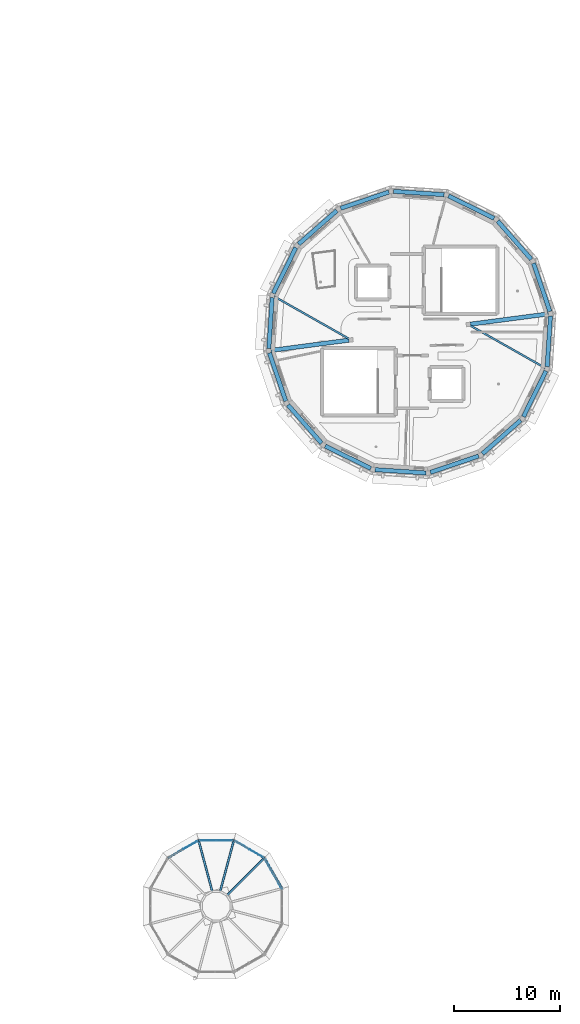
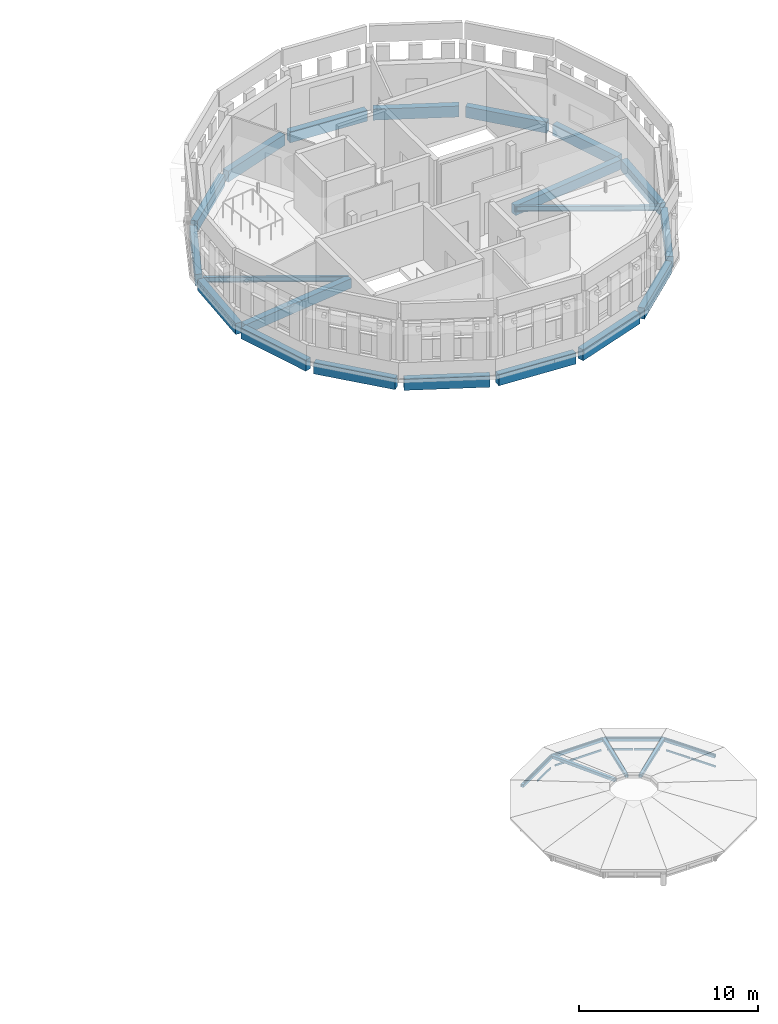
# One storey, part 3 of 18: 22 members, 20 beams, 4 elements without a shape of their own.
"""IFC4 building model written with IfcOpenShell, lengths in metres."""

from ifc_helpers import new_model, si_unit, direction, frame, origin, origin_2d, place, context, subcontext, project, spatial, rectangle, hollow_rectangle, i_section, extrude, material, material_profile, profile_set, type_object, element, aggregate, save


model = new_model("IFC4")

# Units and contexts
model_context = context("Model", 3, precision=1e-05, world=origin(), true_north=direction((0.0, 1.0)))
body_context = subcontext(model_context, "Body", "Model", "MODEL_VIEW")
ifc_project = project(units=[si_unit("LENGTHUNIT", "METRE"), si_unit("AREAUNIT", "SQUARE_METRE"), si_unit("VOLUMEUNIT", "CUBIC_METRE"), si_unit("PLANEANGLEUNIT", "RADIAN"), si_unit("MASSUNIT", "GRAM", prefix="KILO")], contexts=[model_context])

# Site, building, storey
site_placement = place(None, origin())
site = spatial("IfcSite", under=ifc_project, at=site_placement, CompositionType="ELEMENT")
building_placement = place(site_placement, origin())
building = spatial("IfcBuilding", under=site, at=building_placement, Name="Wrenclough Park School", CompositionType="ELEMENT")
storey_placement = place(building_placement, frame((0.0, 0.0, 20.800048828125)))
storey = spatial("IfcBuildingStorey", under=building, at=storey_placement, Name="L05", CompositionType="ELEMENT", Elevation=20.800048828125)

# Curtain wall, members
ifc_material_1 = material(Name="Thermally broken aluminium and low-e glass curtain wall", Category="aluminium")
curtain_wall_type = type_object("IfcCurtainWallType", Name="ENV-CW-16", PredefinedType="USERDEFINED", material=ifc_material_1)
curtain_wall_1_placement = place(storey_placement, origin())
curtain_wall_1 = element("IfcCurtainWall", 1, at=curtain_wall_1_placement, inside=storey, type_object=curtain_wall_type, Name="D1-SH cylindrical white-glazed stair-head curtain wall 190", ObjectType="CURTAIN WALL", PredefinedType="USERDEFINED")
ifc_material_2 = material(Name="Thermally broken anodised aluminium", Category="aluminium")
ifc_material_profile_1 = material_profile(ifc_material_2, rectangle(XDim=0.06005859375, YDim=0.1201171875, at=origin_2d()), Name="AL TRANSOM 60x120")
ifc_profile_set_1 = profile_set([ifc_material_profile_1], Name="Thermally broken anodised aluminium")
member_type_1 = type_object("IfcMemberType", Name="ENV-CWT-1", PredefinedType="USERDEFINED", material=ifc_profile_set_1)
member_1_placement = place(storey_placement, frame((162.435302734375, 40.8369140625, 0.030029296875), z_axis=(-0.49997040668, 0.866042488821, 0.0), x_axis=(-0.866042488821, -0.49997040668, 0.0)))
member_1 = element("IfcMember", 2, at=member_1_placement, type_object=member_type_1, Name="CW-16 transom 1.1", ObjectType="TRANSOM", PredefinedType="USERDEFINED", context=body_context, shape_type="SweptSolid", body=[
    extrude(rectangle(XDim=0.06005859375, YDim=0.1201171875, at=origin_2d()), origin(), (0.0, 0.0, 1.0), 1.5625),
])
member_2_placement = place(storey_placement, frame((162.435302734375, 40.8369140625, 0.7900390625), z_axis=(-0.49997040668, 0.866042488821, 0.0), x_axis=(-0.866042488821, -0.49997040668, 0.0)))
member_2 = element("IfcMember", 3, at=member_2_placement, type_object=member_type_1, Name="CW-16 transom 1.2", ObjectType="TRANSOM", PredefinedType="USERDEFINED", context=body_context, shape_type="SweptSolid", body=[
    extrude(rectangle(XDim=0.06005859375, YDim=0.1201171875, at=origin_2d()), origin(), (0.0, 0.0, 1.0), 1.5625),
])
member_3_placement = place(storey_placement, frame((161.6240234375, 42.241943359375, 0.030029296875), z_axis=(-0.49997040668, 0.866042488821, 0.0), x_axis=(-0.866042488821, -0.49997040668, 0.0)))
member_3 = element("IfcMember", 4, at=member_3_placement, type_object=member_type_1, Name="CW-16 transom 2.1", ObjectType="TRANSOM", PredefinedType="USERDEFINED", context=body_context, shape_type="SweptSolid", body=[
    extrude(rectangle(XDim=0.06005859375, YDim=0.1201171875, at=origin_2d()), origin(), (0.0, 0.0, 1.0), 1.5625),
])
member_4_placement = place(storey_placement, frame((161.6240234375, 42.241943359375, 0.7900390625), z_axis=(-0.49997040668, 0.866042488821, 0.0), x_axis=(-0.866042488821, -0.49997040668, 0.0)))
member_4 = element("IfcMember", 5, at=member_4_placement, type_object=member_type_1, Name="CW-16 transom 2.2", ObjectType="TRANSOM", PredefinedType="USERDEFINED", context=body_context, shape_type="SweptSolid", body=[
    extrude(rectangle(XDim=0.06005859375, YDim=0.1201171875, at=origin_2d()), origin(), (0.0, 0.0, 1.0), 1.5625),
])
aggregate(curtain_wall_1, [member_1, member_2, member_3, member_4])

curtain_wall_2_placement = place(storey_placement, origin())
curtain_wall_2 = element("IfcCurtainWall", 6, at=curtain_wall_2_placement, inside=storey, type_object=curtain_wall_type, Name="D1-SH cylindrical white-glazed stair-head curtain wall 191", ObjectType="CURTAIN WALL", PredefinedType="USERDEFINED")
member_5_placement = place(storey_placement, frame((160.59521484375, 43.8427734375, 0.030029296875), z_axis=(-0.866045896294, 0.499964504253, 0.0), x_axis=(-0.499964504253, -0.866045896294, 0.0)))
member_5 = element("IfcMember", 7, at=member_5_placement, type_object=member_type_1, Name="CW-16 transom 1.1", ObjectType="TRANSOM", PredefinedType="USERDEFINED", context=body_context, shape_type="SweptSolid", body=[
    extrude(rectangle(XDim=0.06005859375, YDim=0.1201171875, at=origin_2d()), origin(), (0.0, 0.0, 1.0), 1.455078125),
])
member_6_placement = place(storey_placement, frame((160.59521484375, 43.8427734375, 0.7900390625), z_axis=(-0.866045896294, 0.499964504253, 0.0), x_axis=(-0.499964504253, -0.866045896294, 0.0)))
member_6 = element("IfcMember", 8, at=member_6_placement, type_object=member_type_1, Name="CW-16 transom 1.2", ObjectType="TRANSOM", PredefinedType="USERDEFINED", context=body_context, shape_type="SweptSolid", body=[
    extrude(rectangle(XDim=0.06005859375, YDim=0.1201171875, at=origin_2d()), origin(), (0.0, 0.0, 1.0), 1.455078125),
])
member_7_placement = place(storey_placement, frame((159.283203125, 44.60009765625, 0.030029296875), z_axis=(-0.866045896294, 0.499964504253, 0.0), x_axis=(-0.499964504253, -0.866045896294, 0.0)))
member_7 = element("IfcMember", 9, at=member_7_placement, type_object=member_type_1, Name="CW-16 transom 2.1", ObjectType="TRANSOM", PredefinedType="USERDEFINED", context=body_context, shape_type="SweptSolid", body=[
    extrude(rectangle(XDim=0.06005859375, YDim=0.1201171875, at=origin_2d()), origin(), (0.0, 0.0, 1.0), 1.455078125),
])
member_8_placement = place(storey_placement, frame((159.283203125, 44.60009765625, 0.7900390625), z_axis=(-0.866045896294, 0.499964504253, 0.0), x_axis=(-0.499964504253, -0.866045896294, 0.0)))
member_8 = element("IfcMember", 10, at=member_8_placement, type_object=member_type_1, Name="CW-16 transom 2.2", ObjectType="TRANSOM", PredefinedType="USERDEFINED", context=body_context, shape_type="SweptSolid", body=[
    extrude(rectangle(XDim=0.06005859375, YDim=0.1201171875, at=origin_2d()), origin(), (0.0, 0.0, 1.0), 1.455078125),
])
aggregate(curtain_wall_2, [member_5, member_6, member_7, member_8])

curtain_wall_3_placement = place(storey_placement, origin())
curtain_wall_3 = element("IfcCurtainWall", 11, at=curtain_wall_3_placement, inside=storey, type_object=curtain_wall_type, Name="D1-SH cylindrical white-glazed stair-head curtain wall 192", ObjectType="CURTAIN WALL", PredefinedType="USERDEFINED")
member_9_placement = place(storey_placement, frame((157.6845703125, 45.418212890625, 0.030029296875), z_axis=(-1.0, 0.0, 0.0), x_axis=(0.0, -1.0, 0.0)))
member_9 = element("IfcMember", 12, at=member_9_placement, type_object=member_type_1, Name="CW-16 transom 1.1", ObjectType="TRANSOM", PredefinedType="USERDEFINED", context=body_context, shape_type="SweptSolid", body=[
    extrude(rectangle(XDim=0.06005859375, YDim=0.1201171875, at=origin_2d()), origin(), (0.0, 0.0, 1.0), 1.45458984375),
])
member_10_placement = place(storey_placement, frame((157.6845703125, 45.418212890625, 0.7900390625), z_axis=(-1.0, 0.0, 0.0), x_axis=(0.0, -1.0, 0.0)))
member_10 = element("IfcMember", 13, at=member_10_placement, type_object=member_type_1, Name="CW-16 transom 1.2", ObjectType="TRANSOM", PredefinedType="USERDEFINED", context=body_context, shape_type="SweptSolid", body=[
    extrude(rectangle(XDim=0.06005859375, YDim=0.1201171875, at=origin_2d()), origin(), (0.0, 0.0, 1.0), 1.45458984375),
])
member_11_placement = place(storey_placement, frame((156.170166015625, 45.418212890625, 0.030029296875), z_axis=(-1.0, 0.0, 0.0), x_axis=(0.0, -1.0, 0.0)))
member_11 = element("IfcMember", 14, at=member_11_placement, type_object=member_type_1, Name="CW-16 transom 2.1", ObjectType="TRANSOM", PredefinedType="USERDEFINED", context=body_context, shape_type="SweptSolid", body=[
    extrude(rectangle(XDim=0.06005859375, YDim=0.1201171875, at=origin_2d()), origin(), (0.0, 0.0, 1.0), 1.45458984375),
])
member_12_placement = place(storey_placement, frame((156.170166015625, 45.418212890625, 0.7900390625), z_axis=(-1.0, 0.0, 0.0), x_axis=(0.0, -1.0, 0.0)))
member_12 = element("IfcMember", 15, at=member_12_placement, type_object=member_type_1, Name="CW-16 transom 2.2", ObjectType="TRANSOM", PredefinedType="USERDEFINED", context=body_context, shape_type="SweptSolid", body=[
    extrude(rectangle(XDim=0.06005859375, YDim=0.1201171875, at=origin_2d()), origin(), (0.0, 0.0, 1.0), 1.45458984375),
])
aggregate(curtain_wall_3, [member_9, member_10, member_11, member_12])

curtain_wall_4_placement = place(storey_placement, origin())
curtain_wall_4 = element("IfcCurtainWall", 16, at=curtain_wall_4_placement, inside=storey, type_object=curtain_wall_type, Name="D1-SH cylindrical white-glazed stair-head curtain wall 193", ObjectType="CURTAIN WALL", PredefinedType="USERDEFINED")
member_13_placement = place(storey_placement, frame((154.376953125, 45.32763671875, 0.030029296875), z_axis=(-0.866003949776, -0.500037157592, 0.0), x_axis=(0.500037157592, -0.866003949776, 0.0)))
member_13 = element("IfcMember", 17, at=member_13_placement, type_object=member_type_1, Name="CW-16 transom 1.1", ObjectType="TRANSOM", PredefinedType="USERDEFINED", context=body_context, shape_type="SweptSolid", body=[
    extrude(rectangle(XDim=0.06005859375, YDim=0.1201171875, at=origin_2d()), origin(), (0.0, 0.0, 1.0), 1.455078125),
])
member_14_placement = place(storey_placement, frame((154.376953125, 45.32763671875, 0.7900390625), z_axis=(-0.866003949776, -0.500037157592, 0.0), x_axis=(0.500037157592, -0.866003949776, 0.0)))
member_14 = element("IfcMember", 18, at=member_14_placement, type_object=member_type_1, Name="CW-16 transom 1.2", ObjectType="TRANSOM", PredefinedType="USERDEFINED", context=body_context, shape_type="SweptSolid", body=[
    extrude(rectangle(XDim=0.06005859375, YDim=0.1201171875, at=origin_2d()), origin(), (0.0, 0.0, 1.0), 1.455078125),
])
member_15_placement = place(storey_placement, frame((153.06494140625, 44.5703125, 0.7900390625), z_axis=(-0.866003949776, -0.500037157592, 0.0), x_axis=(0.500037157592, -0.866003949776, 0.0)))
member_15 = element("IfcMember", 19, at=member_15_placement, type_object=member_type_1, Name="CW-16 transom 2.2", ObjectType="TRANSOM", PredefinedType="USERDEFINED", context=body_context, shape_type="SweptSolid", body=[
    extrude(rectangle(XDim=0.06005859375, YDim=0.1201171875, at=origin_2d()), origin(), (0.0, 0.0, 1.0), 1.455078125),
])
aggregate(curtain_wall_4, [member_13, member_14, member_15])

# Beams
ifc_material_3 = material(Name="Concrete C35/45", Category="concrete")
ifc_material_profile_2 = material_profile(ifc_material_3, rectangle(XDim=0.39990234375, YDim=0.64990234375, at=origin_2d()), Name="RC BEAM 400x650")
ifc_profile_set_2 = profile_set([ifc_material_profile_2], Name="Concrete C35/45")
beam_type_1 = type_object("IfcBeamType", Name="STR-BM-RC400A", PredefinedType="BEAM", material=ifc_profile_set_2)
for number, where, z_axis, x_axis, name in (
    (20, (187.62060546875, 95.227294921875, -0.574951171875), (-0.991447706163, -0.130504582083, 0.0), (0.130504582083, -0.991447706163, 0.0), "D5 L05 inner radial beam 1"),
    (21, (161.37939453125, 91.772705078125, -0.574951171875), (0.991447706163, 0.130504582083, 0.0), (-0.130504582083, 0.991447706163, 0.0), "D5 L05 inner radial beam 5"),
):
    element("IfcBeam", number, at=place(storey_placement, frame(where, z_axis=z_axis, x_axis=x_axis)), inside=storey, type_object=beam_type_1, Name=name, PredefinedType="BEAM", context=body_context, shape_type="SweptSolid", body=[
        extrude(rectangle(XDim=0.39990234375, YDim=0.64990234375, at=origin_2d()), origin(), (0.0, 0.0, 1.0), 7.44189453125),
    ])
ifc_material_profile_3 = material_profile(ifc_material_3, rectangle(XDim=0.39990234375, YDim=0.75, at=origin_2d()), Name="RC BEAM 400x750")
ifc_profile_set_3 = profile_set([ifc_material_profile_3], Name="Concrete C35/45")
beam_type_2 = type_object("IfcBeamType", Name="STR-BM-RC400B", PredefinedType="BEAM", material=ifc_profile_set_3)
beam_1_placement = place(storey_placement, frame((187.765380859375, 95.460205078125, -0.625), z_axis=(-0.321454643192, 0.946924977161, 0.0), x_axis=(-0.946924977161, -0.321454643192, 0.0)))
element("IfcBeam", 22, at=beam_1_placement, inside=storey, type_object=beam_type_2, Name="D5 L05 middle ring beam 1", PredefinedType="BEAM", context=body_context, shape_type="SweptSolid", body=[
    extrude(rectangle(XDim=0.39990234375, YDim=0.75, at=origin_2d()), origin(), (0.0, 0.0, 1.0), 4.81591796875),
])
beam_2_placement = place(storey_placement, frame((186.005615234375, 100.387451171875, -0.625), z_axis=(-0.659361921162, 0.751825682537, 0.0), x_axis=(-0.751825682537, -0.659361921162, 0.0)))
element("IfcBeam", 23, at=beam_2_placement, inside=storey, type_object=beam_type_2, Name="D5 L05 middle ring beam 2", PredefinedType="BEAM", context=body_context, shape_type="SweptSolid", body=[
    extrude(rectangle(XDim=0.39990234375, YDim=0.75, at=origin_2d()), origin(), (0.0, 0.0, 1.0), 4.816162109375),
])
for number, where, z_axis, x_axis, name in (
    (24, (182.494140625, 104.26611328125, -0.625), (-0.896867289491, 0.442299745694, 0.0), (-0.442299745694, -0.896867289491, 0.0), "D5 L05 middle ring beam 3"),
    (25, (177.765625, 106.505859375, -0.625), (-0.99785944436, 0.065395177973, 0.0), (-0.065395177973, -0.99785944436, 0.0), "D5 L05 middle ring beam 4"),
    (26, (172.539794921875, 106.765380859375, -0.625), (-0.946924977161, -0.321454643192, 0.0), (0.321454643192, -0.946924977161, 0.0), "D5 L05 middle ring beam 5"),
):
    element("IfcBeam", number, at=place(storey_placement, frame(where, z_axis=z_axis, x_axis=x_axis)), inside=storey, type_object=beam_type_2, Name=name, PredefinedType="BEAM", context=body_context, shape_type="SweptSolid", body=[
        extrude(rectangle(XDim=0.39990234375, YDim=0.75, at=origin_2d()), origin(), (0.0, 0.0, 1.0), 4.81591796875),
    ])
beam_3_placement = place(storey_placement, frame((167.612548828125, 105.005615234375, -0.625), z_axis=(-0.751825682537, -0.659361921162, 0.0), x_axis=(0.659361921162, -0.751825682537, 0.0)))
element("IfcBeam", 27, at=beam_3_placement, inside=storey, type_object=beam_type_2, Name="D5 L05 middle ring beam 6", PredefinedType="BEAM", context=body_context, shape_type="SweptSolid", body=[
    extrude(rectangle(XDim=0.39990234375, YDim=0.75, at=origin_2d()), origin(), (0.0, 0.0, 1.0), 4.816162109375),
])
for number, where, z_axis, x_axis, name in (
    (28, (163.73388671875, 101.494140625, -0.625), (-0.442299745694, -0.896867289491, 0.0), (0.896867289491, -0.442299745694, 0.0), "D5 L05 middle ring beam 7"),
    (29, (161.494140625, 96.765625, -0.625), (-0.065395177973, -0.99785944436, 0.0), (0.99785944436, -0.065395177973, 0.0), "D5 L05 middle ring beam 8"),
    (30, (161.234619140625, 91.539794921875, -0.625), (0.321454643192, -0.946924977161, 0.0), (0.946924977161, 0.321454643192, 0.0), "D5 L05 middle ring beam 9"),
):
    element("IfcBeam", number, at=place(storey_placement, frame(where, z_axis=z_axis, x_axis=x_axis)), inside=storey, type_object=beam_type_2, Name=name, PredefinedType="BEAM", context=body_context, shape_type="SweptSolid", body=[
        extrude(rectangle(XDim=0.39990234375, YDim=0.75, at=origin_2d()), origin(), (0.0, 0.0, 1.0), 4.81591796875),
    ])
beam_4_placement = place(storey_placement, frame((162.994384765625, 86.612548828125, -0.625), z_axis=(0.659361921162, -0.751825682537, 0.0), x_axis=(0.751825682537, 0.659361921162, 0.0)))
element("IfcBeam", 31, at=beam_4_placement, inside=storey, type_object=beam_type_2, Name="D5 L05 middle ring beam 10", PredefinedType="BEAM", context=body_context, shape_type="SweptSolid", body=[
    extrude(rectangle(XDim=0.39990234375, YDim=0.75, at=origin_2d()), origin(), (0.0, 0.0, 1.0), 4.816162109375),
])
for number, where, z_axis, x_axis, name in (
    (32, (166.505859375, 82.73388671875, -0.625), (0.896867289491, -0.442299745694, 0.0), (0.442299745694, 0.896867289491, 0.0), "D5 L05 middle ring beam 11"),
    (33, (171.234375, 80.494140625, -0.625), (0.99785944436, -0.065395177973, 0.0), (0.065395177973, 0.99785944436, 0.0), "D5 L05 middle ring beam 12"),
    (34, (176.460205078125, 80.234619140625, -0.625), (0.946924977161, 0.321454643192, 0.0), (-0.321454643192, 0.946924977161, 0.0), "D5 L05 middle ring beam 13"),
):
    element("IfcBeam", number, at=place(storey_placement, frame(where, z_axis=z_axis, x_axis=x_axis)), inside=storey, type_object=beam_type_2, Name=name, PredefinedType="BEAM", context=body_context, shape_type="SweptSolid", body=[
        extrude(rectangle(XDim=0.39990234375, YDim=0.75, at=origin_2d()), origin(), (0.0, 0.0, 1.0), 4.81591796875),
    ])
beam_5_placement = place(storey_placement, frame((181.387451171875, 81.994384765625, -0.625), z_axis=(0.751825682537, 0.659361921162, 0.0), x_axis=(-0.659361921162, 0.751825682537, 0.0)))
element("IfcBeam", 35, at=beam_5_placement, inside=storey, type_object=beam_type_2, Name="D5 L05 middle ring beam 14", PredefinedType="BEAM", context=body_context, shape_type="SweptSolid", body=[
    extrude(rectangle(XDim=0.39990234375, YDim=0.75, at=origin_2d()), origin(), (0.0, 0.0, 1.0), 4.816162109375),
])
for number, where, z_axis, x_axis, name in (
    (36, (185.26611328125, 85.505859375, -0.625), (0.442299745694, 0.896867289491, 0.0), (-0.896867289491, 0.442299745694, 0.0), "D5 L05 middle ring beam 15"),
    (37, (187.505859375, 90.234375, -0.625), (0.065395177973, 0.99785944436, 0.0), (-0.99785944436, 0.065395177973, 0.0), "D5 L05 middle ring beam 16"),
):
    element("IfcBeam", number, at=place(storey_placement, frame(where, z_axis=z_axis, x_axis=x_axis)), inside=storey, type_object=beam_type_2, Name=name, PredefinedType="BEAM", context=body_context, shape_type="SweptSolid", body=[
        extrude(rectangle(XDim=0.39990234375, YDim=0.75, at=origin_2d()), origin(), (0.0, 0.0, 1.0), 4.81591796875),
    ])
ifc_material_4 = material(Name="Structural steel S355", Category="steel")
ifc_material_profile_4 = material_profile(ifc_material_4, i_section(OverallWidth=0.17138671875, OverallDepth=0.35498046875, WebThickness=0.00732421875, FlangeThickness=0.011474609375, FilletRadius=0.01025390625, at=origin_2d()), Name="UKB 356x171x51")
ifc_profile_set_4 = profile_set([ifc_material_profile_4], Name="Structural steel S355")
beam_type_3 = type_object("IfcBeamType", Name="STR-BM-UKB356", PredefinedType="JOIST", material=ifc_profile_set_4)
for number, where, z_axis, x_axis, name in (
    (38, (161.6962890625, 96.874755859375, -0.427490234375), (0.870209066507, -0.492682636765, 0.0), (0.492682636765, 0.870209066507, 0.0), "D5 L05 secondary radial floor beam 7"),
    (39, (187.3037109375, 90.125244140625, -0.427490234375), (-0.870209066507, 0.492682636765, 0.0), (-0.492682636765, -0.870209066507, 0.0), "D5 L05 secondary radial floor beam 15"),
):
    element("IfcBeam", number, at=place(storey_placement, frame(where, z_axis=z_axis, x_axis=x_axis)), inside=storey, type_object=beam_type_3, Name=name, PredefinedType="JOIST", context=body_context, shape_type="SweptSolid", body=[
        extrude(i_section(OverallWidth=0.17138671875, OverallDepth=0.35498046875, WebThickness=0.00732421875, FlangeThickness=0.011474609375, FilletRadius=0.01025390625, at=origin_2d()), origin(), (0.0, 0.0, 1.0), 8.14111328125),
    ])

# Members
ifc_material_profile_5 = material_profile(ifc_material_4, hollow_rectangle(XDim=0.199951171875, YDim=0.199951171875, WallThickness=0.012451171875, InnerFilletRadius=0.012451171875, OuterFilletRadius=0.018798828125, at=origin_2d()), Name="SHS 200x200x12.5")
ifc_profile_set_5 = profile_set([ifc_material_profile_5], Name="Structural steel S355")
member_type_2 = type_object("IfcMemberType", Name="STR-MEM-LANTERN", PredefinedType="MEMBER", material=ifc_profile_set_5)
for number, where, z_axis, x_axis, name in (
    (40, (162.43017578125, 40.869384765625, 0.719970703125), (-0.500024172624, 0.866011447264, 0.0), (-0.866011447264, -0.500024172624, 0.0), "D1-SH cylindrical eave ring member 1"),
    (41, (160.7607421875, 43.7607421875, 0.719970703125), (-0.866011447264, 0.500024172624, 0.0), (-0.500024172624, -0.866011447264, 0.0), "D1-SH cylindrical eave ring member 2"),
):
    element("IfcMember", number, at=place(storey_placement, frame(where, z_axis=z_axis, x_axis=x_axis)), inside=storey, type_object=member_type_2, Name=name, PredefinedType="MEMBER", context=body_context, shape_type="SweptSolid", body=[
        extrude(hollow_rectangle(XDim=0.199951171875, YDim=0.199951171875, WallThickness=0.012451171875, InnerFilletRadius=0.012451171875, OuterFilletRadius=0.018798828125, at=origin_2d()), origin(), (0.0, 0.0, 1.0), 3.338623046875),
    ])
member_16_placement = place(storey_placement, frame((160.7607421875, 43.7607421875, 0.719970703125), z_axis=(-0.696876183495, -0.696876183495, 0.169490913491), x_axis=(0.707106781187, -0.707106781187, 0.0)))
element("IfcMember", 42, at=member_16_placement, inside=storey, type_object=member_type_2, Name="D1-SH radial lantern rafter 2", PredefinedType="MEMBER", context=body_context, shape_type="SweptSolid", body=[
    extrude(hollow_rectangle(XDim=0.199951171875, YDim=0.199951171875, WallThickness=0.012451171875, InnerFilletRadius=0.012451171875, OuterFilletRadius=0.018798828125, at=origin_2d()), origin(), (0.0, 0.0, 1.0), 5.0732421875),
])
member_17_placement = place(storey_placement, frame((157.869384765625, 45.43017578125, 0.719970703125), z_axis=(-1.0, 0.0, 0.0), x_axis=(0.0, -1.0, 0.0)))
element("IfcMember", 43, at=member_17_placement, inside=storey, type_object=member_type_2, Name="D1-SH cylindrical eave ring member 3", PredefinedType="MEMBER", context=body_context, shape_type="SweptSolid", body=[
    extrude(hollow_rectangle(XDim=0.199951171875, YDim=0.199951171875, WallThickness=0.012451171875, InnerFilletRadius=0.012451171875, OuterFilletRadius=0.018798828125, at=origin_2d()), origin(), (0.0, 0.0, 1.0), 3.3388671875),
])
member_18_placement = place(storey_placement, frame((157.869384765625, 45.43017578125, 0.719970703125), z_axis=(-0.25509390799, -0.951946366321, 0.16948514317), x_axis=(0.965920588341, -0.258838592599, 0.0)))
element("IfcMember", 44, at=member_18_placement, inside=storey, type_object=member_type_2, Name="D1-SH radial lantern rafter 3", PredefinedType="MEMBER", context=body_context, shape_type="SweptSolid", body=[
    extrude(hollow_rectangle(XDim=0.199951171875, YDim=0.199951171875, WallThickness=0.012451171875, InnerFilletRadius=0.012451171875, OuterFilletRadius=0.018798828125, at=origin_2d()), origin(), (0.0, 0.0, 1.0), 5.073486328125),
])
member_19_placement = place(storey_placement, frame((154.530517578125, 45.43017578125, 0.719970703125), z_axis=(-0.866011447264, -0.500024172624, 0.0), x_axis=(0.500024172624, -0.866011447264, 0.0)))
element("IfcMember", 45, at=member_19_placement, inside=storey, type_object=member_type_2, Name="D1-SH cylindrical eave ring member 4", PredefinedType="MEMBER", context=body_context, shape_type="SweptSolid", body=[
    extrude(hollow_rectangle(XDim=0.199951171875, YDim=0.199951171875, WallThickness=0.012451171875, InnerFilletRadius=0.012451171875, OuterFilletRadius=0.018798828125, at=origin_2d()), origin(), (0.0, 0.0, 1.0), 3.338623046875),
])
member_20_placement = place(storey_placement, frame((154.530517578125, 45.43017578125, 0.719970703125), z_axis=(0.25509390799, -0.951946366321, 0.16948514317), x_axis=(0.965920588341, 0.258838592599, 0.0)))
element("IfcMember", 46, at=member_20_placement, inside=storey, type_object=member_type_2, Name="D1-SH radial lantern rafter 4", PredefinedType="MEMBER", context=body_context, shape_type="SweptSolid", body=[
    extrude(hollow_rectangle(XDim=0.199951171875, YDim=0.199951171875, WallThickness=0.012451171875, InnerFilletRadius=0.012451171875, OuterFilletRadius=0.018798828125, at=origin_2d()), origin(), (0.0, 0.0, 1.0), 5.073486328125),
])

save(model, "model.ifc")
